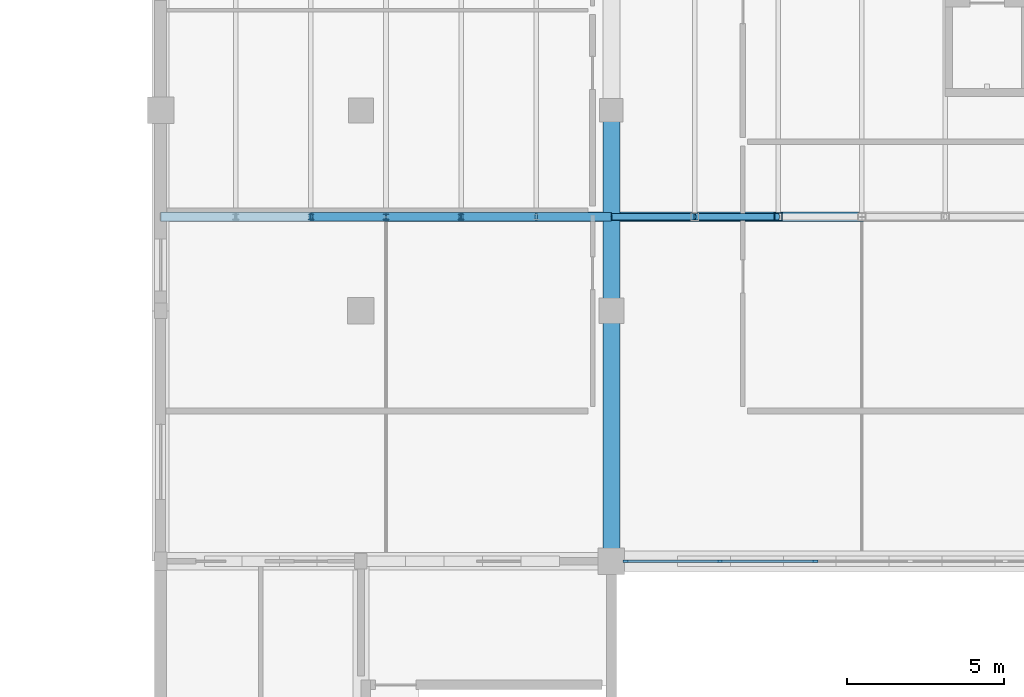
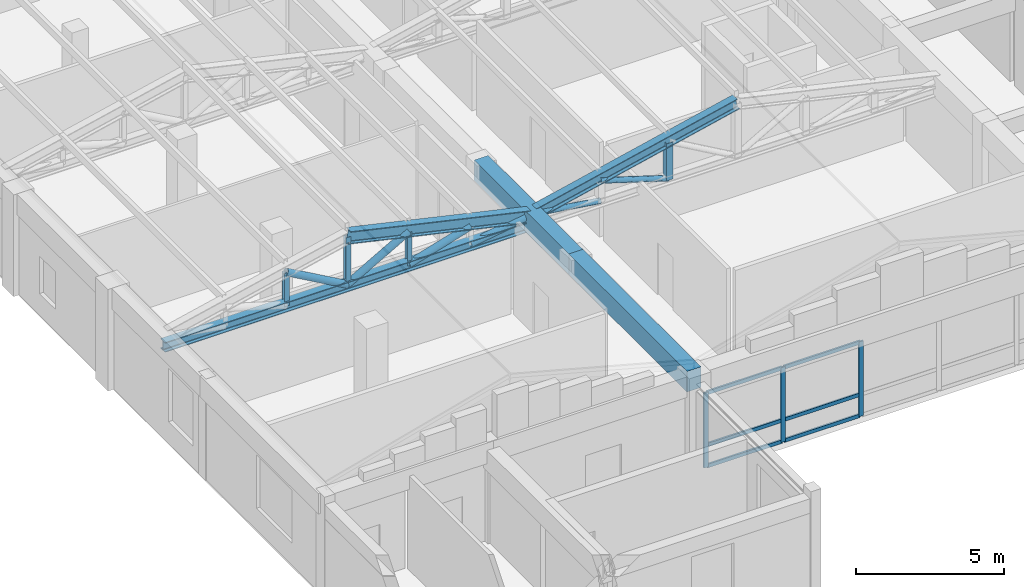
# One storey, part 2 of 35: 22 members, 2 beams, 1 element without a shape of its own.
"""IFC4 building model written with IfcOpenShell, lengths in metres."""

from ifc_helpers import new_model, si_unit, direction, frame, origin, origin_2d, place, context, subcontext, project, spatial, rectangle, hollow_rectangle, hollow_circle, i_section, extrude, material, material_profile, profile_set, type_object, element, aggregate, save


model = new_model("IFC4")

# Units and contexts
model_context = context("Model", 3, precision=1e-05, world=origin(), true_north=direction((0.0, 1.0)))
body_context = subcontext(model_context, "Body", "Model", "MODEL_VIEW")
ifc_project = project(units=[si_unit("LENGTHUNIT", "METRE"), si_unit("AREAUNIT", "SQUARE_METRE"), si_unit("VOLUMEUNIT", "CUBIC_METRE"), si_unit("PLANEANGLEUNIT", "RADIAN"), si_unit("MASSUNIT", "GRAM", prefix="KILO")], contexts=[model_context])

# Site, building, storey
site_placement = place(None, origin())
site = spatial("IfcSite", under=ifc_project, at=site_placement, CompositionType="ELEMENT")
building_placement = place(site_placement, origin())
building = spatial("IfcBuilding", under=site, at=building_placement, Name="Vellmiral Cinema and Media Centre", CompositionType="ELEMENT")
storey_placement = place(building_placement, frame((0.0, 0.0, 15.60009765625)))
storey = spatial("IfcBuildingStorey", under=building, at=storey_placement, Name="L03", CompositionType="ELEMENT", Elevation=15.60009765625)

# Curtain wall, members
ifc_material_1 = material(Name="Thermally Broken Aluminium and Triple Glazing", Category="aluminium")
curtain_wall_type = type_object("IfcCurtainWallType", Name="CW-POD-GALLERY", PredefinedType="USERDEFINED", material=ifc_material_1)
curtain_wall_placement = place(storey_placement, origin())
curtain_wall = element("IfcCurtainWall", 1, at=curtain_wall_placement, inside=storey, type_object=curtain_wall_type, Name="Curtain Wall L03-B004", ObjectType="STICK CURTAIN WALL", PredefinedType="USERDEFINED")
ifc_material_2 = material(Name="Thermally Broken Anodised Aluminium", Category="aluminium")
ifc_material_profile_1 = material_profile(ifc_material_2, rectangle(XDim=0.070068359375, YDim=0.179931640625, at=origin_2d()), Name="MULL 70x180")
ifc_profile_set_1 = profile_set([ifc_material_profile_1], Name="Thermally Broken Anodised Aluminium")
member_type_1 = type_object("IfcMemberType", Name="CWM-70x180", PredefinedType="MULLION", material=ifc_profile_set_1)
member_1_placement = place(storey_placement, frame((62.860107421875, 51.199951171875, 0.0), z_axis=(0.0, 0.0, 1.0), x_axis=(0.0, 1.0, 0.0)))
member_1 = element("IfcMember", 2, at=member_1_placement, type_object=member_type_1, Name="CW-04 mullion 1", PredefinedType="MULLION", context=body_context, shape_type="SweptSolid", body=[
    extrude(rectangle(XDim=0.070068359375, YDim=0.179931640625, at=origin_2d()), origin(), (0.0, 0.0, 1.0), 3.08984375),
])
member_2_placement = place(storey_placement, frame((65.864990234375, 51.199951171875, 0.0), z_axis=(0.0, 0.0, 1.0), x_axis=(0.0, 1.0, 0.0)))
member_2 = element("IfcMember", 3, at=member_2_placement, type_object=member_type_1, Name="CW-04 mullion 2", PredefinedType="MULLION", context=body_context, shape_type="SweptSolid", body=[
    extrude(rectangle(XDim=0.070068359375, YDim=0.179931640625, at=origin_2d()), origin(), (0.0, 0.0, 1.0), 3.08984375),
])
member_3_placement = place(storey_placement, frame((68.905029296875, 51.199951171875, 0.0), z_axis=(0.0, 0.0, 1.0), x_axis=(0.0, 1.0, 0.0)))
member_3 = element("IfcMember", 4, at=member_3_placement, type_object=member_type_1, Name="CW-04 mullion 3", PredefinedType="MULLION", context=body_context, shape_type="SweptSolid", body=[
    extrude(rectangle(XDim=0.070068359375, YDim=0.179931640625, at=origin_2d()), origin(), (0.0, 0.0, 1.0), 3.08984375),
])
ifc_material_3 = material(Name="Thermally Broken Anodised Aluminium", Category="aluminium")
ifc_material_profile_2 = material_profile(ifc_material_3, rectangle(XDim=0.070068359375, YDim=0.14990234375, at=origin_2d()), Name="MULL 70x150")
ifc_profile_set_2 = profile_set([ifc_material_profile_2], Name="Thermally Broken Anodised Aluminium")
member_type_2 = type_object("IfcMemberType", Name="CWT-70x150", PredefinedType="USERDEFINED", material=ifc_profile_set_2)
member_4_placement = place(storey_placement, frame((62.89501953125, 51.199951171875, 0.034912109375), z_axis=(1.0, 0.0, 0.0), x_axis=(0.0, 1.0, 0.0)))
member_4 = element("IfcMember", 5, at=member_4_placement, type_object=member_type_2, Name="CW-04 transom 1.1", ObjectType="TRANSOM", PredefinedType="USERDEFINED", context=body_context, shape_type="SweptSolid", body=[
    extrude(rectangle(XDim=0.070068359375, YDim=0.14990234375, at=origin_2d()), origin(), (0.0, 0.0, 1.0), 2.93505859375),
])
member_5_placement = place(storey_placement, frame((62.89501953125, 51.199951171875, 0.89990234375), z_axis=(1.0, 0.0, 0.0), x_axis=(0.0, 1.0, 0.0)))
member_5 = element("IfcMember", 6, at=member_5_placement, type_object=member_type_2, Name="CW-04 transom 1.2", ObjectType="TRANSOM", PredefinedType="USERDEFINED", context=body_context, shape_type="SweptSolid", body=[
    extrude(rectangle(XDim=0.070068359375, YDim=0.14990234375, at=origin_2d()), origin(), (0.0, 0.0, 1.0), 2.93505859375),
])
member_6_placement = place(storey_placement, frame((62.89501953125, 51.199951171875, 3.054931640625), z_axis=(1.0, 0.0, 0.0), x_axis=(0.0, 1.0, 0.0)))
member_6 = element("IfcMember", 7, at=member_6_placement, type_object=member_type_2, Name="CW-04 transom 1.3", ObjectType="TRANSOM", PredefinedType="USERDEFINED", context=body_context, shape_type="SweptSolid", body=[
    extrude(rectangle(XDim=0.070068359375, YDim=0.14990234375, at=origin_2d()), origin(), (0.0, 0.0, 1.0), 2.93505859375),
])
member_7_placement = place(storey_placement, frame((65.89990234375, 51.199951171875, 0.034912109375), z_axis=(1.0, 0.0, 0.0), x_axis=(0.0, 1.0, 0.0)))
member_7 = element("IfcMember", 8, at=member_7_placement, type_object=member_type_2, Name="CW-04 transom 2.1", ObjectType="TRANSOM", PredefinedType="USERDEFINED", context=body_context, shape_type="SweptSolid", body=[
    extrude(rectangle(XDim=0.070068359375, YDim=0.14990234375, at=origin_2d()), origin(), (0.0, 0.0, 1.0), 2.97021484375),
])
member_8_placement = place(storey_placement, frame((65.89990234375, 51.199951171875, 0.89990234375), z_axis=(1.0, 0.0, 0.0), x_axis=(0.0, 1.0, 0.0)))
member_8 = element("IfcMember", 9, at=member_8_placement, type_object=member_type_2, Name="CW-04 transom 2.2", ObjectType="TRANSOM", PredefinedType="USERDEFINED", context=body_context, shape_type="SweptSolid", body=[
    extrude(rectangle(XDim=0.070068359375, YDim=0.14990234375, at=origin_2d()), origin(), (0.0, 0.0, 1.0), 2.97021484375),
])
member_9_placement = place(storey_placement, frame((65.89990234375, 51.199951171875, 3.054931640625), z_axis=(1.0, 0.0, 0.0), x_axis=(0.0, 1.0, 0.0)))
member_9 = element("IfcMember", 10, at=member_9_placement, type_object=member_type_2, Name="CW-04 transom 2.3", ObjectType="TRANSOM", PredefinedType="USERDEFINED", context=body_context, shape_type="SweptSolid", body=[
    extrude(rectangle(XDim=0.070068359375, YDim=0.14990234375, at=origin_2d()), origin(), (0.0, 0.0, 1.0), 2.97021484375),
])
aggregate(curtain_wall, [member_1, member_2, member_3, member_4, member_5, member_6, member_7, member_8, member_9])

# Beams
ifc_material_4 = material(Name="Concrete C40/50", Category="concrete")
ifc_material_profile_3 = material_profile(ifc_material_4, rectangle(XDim=0.550048828125, YDim=0.85009765625, at=origin_2d()), Name="RC 550x850")
ifc_profile_set_3 = profile_set([ifc_material_profile_3], Name="Concrete C40/50")
beam_type = type_object("IfcBeamType", Name="RING-BM-550x850", PredefinedType="BEAM", material=ifc_profile_set_3)
beam_1_placement = place(storey_placement, frame((62.39990234375, 51.199951171875, 3.77490234375), z_axis=(0.0, 1.0, 0.0), x_axis=(-1.0, 0.0, 0.0)))
element("IfcBeam", 11, at=beam_1_placement, inside=storey, type_object=beam_type, Name="Central Media Library West Barrel Vault Ring Beam 11", PredefinedType="BEAM", context=body_context, shape_type="SweptSolid", body=[
    extrude(rectangle(XDim=0.550048828125, YDim=0.85009765625, at=origin_2d()), origin(), (0.0, 0.0, 1.0), 8.0),
])
beam_2_placement = place(storey_placement, frame((62.39990234375, 59.199951171875, 3.77490234375), z_axis=(0.0, 1.0, 0.0), x_axis=(-1.0, 0.0, 0.0)))
element("IfcBeam", 12, at=beam_2_placement, inside=storey, type_object=beam_type, Name="Central Media Library West Barrel Vault Ring Beam 12", PredefinedType="BEAM", context=body_context, shape_type="SweptSolid", body=[
    extrude(rectangle(XDim=0.550048828125, YDim=0.85009765625, at=origin_2d()), origin(), (0.0, 0.0, 1.0), 6.400146484375),
])

# Members
ifc_material_5 = material(Name="Steel S355", Category="steel")
ifc_material_profile_4 = material_profile(ifc_material_5, hollow_circle(Radius=0.109619140625, WallThickness=0.010009765625, at=origin_2d()), Name="CHS 219.1x10.0")
ifc_profile_set_4 = profile_set([ifc_material_profile_4], Name="Steel S355")
member_type_3 = type_object("IfcMemberType", Name="TBR-CHS219", PredefinedType="BRACE", material=ifc_profile_set_4)
member_10_placement = place(storey_placement, frame((62.39990234375, 62.199951171875, 3.94482421875), z_axis=(0.989206379584, 0.0, -0.146528968431), x_axis=(0.0, 1.0, 0.0)))
element("IfcMember", 13, at=member_10_placement, inside=storey, type_object=member_type_3, Name="Roof Truss TR-08B.1 Diagonal 1", PredefinedType="BRACE", context=body_context, shape_type="SweptSolid", body=[
    extrude(hollow_circle(Radius=0.109619140625, WallThickness=0.010009765625, at=origin_2d()), origin(), (0.0, 0.0, 1.0), 2.69580078125),
])
member_11_placement = place(storey_placement, frame((65.066650390625, 62.199951171875, 4.389404296875), z_axis=(0.953842302692, 0.0, -0.300307944608), x_axis=(0.0, 1.0, 0.0)))
element("IfcMember", 14, at=member_11_placement, inside=storey, type_object=member_type_3, Name="Roof Truss TR-08B.1 Diagonal 2", PredefinedType="BRACE", context=body_context, shape_type="SweptSolid", body=[
    extrude(hollow_circle(Radius=0.109619140625, WallThickness=0.010009765625, at=origin_2d()), origin(), (0.0, 0.0, 1.0), 2.7958984375),
])
ifc_material_6 = material(Name="Steel S355", Category="steel")
ifc_material_profile_5 = material_profile(ifc_material_6, hollow_circle(Radius=0.136474609375, WallThickness=0.012451171875, at=origin_2d()), Name="CHS 273.0x12.5")
ifc_profile_set_5 = profile_set([ifc_material_profile_5], Name="Steel S355")
member_type_4 = type_object("IfcMemberType", Name="TBR-CHS273", PredefinedType="BRACE", material=ifc_profile_set_5)
member_12_placement = place(storey_placement, frame((52.800048828125, 62.199951171875, 4.9111328125), z_axis=(0.869807030315, 0.0, -0.493392065212), x_axis=(0.0, 1.0, 0.0)))
element("IfcMember", 15, at=member_12_placement, inside=storey, type_object=member_type_4, Name="Roof Truss TR-08.1 Diagonal 3", PredefinedType="BRACE", context=body_context, shape_type="SweptSolid", body=[
    extrude(hollow_circle(Radius=0.136474609375, WallThickness=0.012451171875, at=origin_2d()), origin(), (0.0, 0.0, 1.0), 2.759033203125),
])
member_13_placement = place(storey_placement, frame((55.199951171875, 62.199951171875, 3.5498046875), z_axis=(0.869828568226, 0.0, 0.493354093829), x_axis=(0.0, 1.0, 0.0)))
element("IfcMember", 16, at=member_13_placement, inside=storey, type_object=member_type_4, Name="Roof Truss TR-08.1 Diagonal 4", PredefinedType="BRACE", context=body_context, shape_type="SweptSolid", body=[
    extrude(hollow_circle(Radius=0.136474609375, WallThickness=0.012451171875, at=origin_2d()), origin(), (0.0, 0.0, 1.0), 2.75927734375),
])
member_14_placement = place(storey_placement, frame((57.60009765625, 62.199951171875, 3.5498046875), z_axis=(0.958013844189, 0.0, 0.286721946043), x_axis=(0.0, 1.0, 0.0)))
element("IfcMember", 17, at=member_14_placement, inside=storey, type_object=member_type_4, Name="Roof Truss TR-08.1 Diagonal 5", PredefinedType="BRACE", context=body_context, shape_type="SweptSolid", body=[
    extrude(hollow_circle(Radius=0.136474609375, WallThickness=0.012451171875, at=origin_2d()), origin(), (0.0, 0.0, 1.0), 2.505126953125),
])
member_15_placement = place(storey_placement, frame((60.0, 62.199951171875, 3.5498046875), z_axis=(0.988315839708, 0.0, 0.152419818209), x_axis=(0.0, 1.0, 0.0)))
element("IfcMember", 18, at=member_15_placement, inside=storey, type_object=member_type_4, Name="Roof Truss TR-08.1 Diagonal 6", PredefinedType="BRACE", context=body_context, shape_type="SweptSolid", body=[
    extrude(hollow_circle(Radius=0.136474609375, WallThickness=0.012451171875, at=origin_2d()), origin(), (0.0, 0.0, 1.0), 2.42822265625),
])
ifc_material_7 = material(Name="Steel S355", Category="steel")
ifc_material_profile_6 = material_profile(ifc_material_7, i_section(OverallWidth=0.179931640625, OverallDepth=0.179931640625, WebThickness=0.008544921875, FlangeThickness=0.013916015625, FilletRadius=0.014892578125, at=origin_2d()), Name="HEB 180")
ifc_profile_set_6 = profile_set([ifc_material_profile_6], Name="Steel S355")
member_type_5 = type_object("IfcMemberType", Name="TBR-HEB180", PredefinedType="BRACE", material=ifc_profile_set_6)
member_16_placement = place(storey_placement, frame((52.800048828125, 62.199951171875, 3.5498046875), z_axis=(0.0, 0.0, 1.0), x_axis=(1.0, 0.0, 0.0)))
element("IfcMember", 19, at=member_16_placement, inside=storey, type_object=member_type_5, Name="Roof Truss TR-08.1 Post 2", PredefinedType="BRACE", context=body_context, shape_type="SweptSolid", body=[
    extrude(i_section(OverallWidth=0.179931640625, OverallDepth=0.179931640625, WebThickness=0.008544921875, FlangeThickness=0.013916015625, FilletRadius=0.014892578125, at=origin_2d()), origin(), (0.0, 0.0, 1.0), 1.361328125),
])
member_17_placement = place(storey_placement, frame((55.199951171875, 62.199951171875, 3.5498046875), z_axis=(0.0, 0.0, 1.0), x_axis=(1.0, 0.0, 0.0)))
element("IfcMember", 20, at=member_17_placement, inside=storey, type_object=member_type_5, Name="Roof Truss TR-08.1 Post 3", PredefinedType="BRACE", context=body_context, shape_type="SweptSolid", body=[
    extrude(i_section(OverallWidth=0.179931640625, OverallDepth=0.179931640625, WebThickness=0.008544921875, FlangeThickness=0.013916015625, FilletRadius=0.014892578125, at=origin_2d()), origin(), (0.0, 0.0, 1.0), 2.00439453125),
])
member_18_placement = place(storey_placement, frame((57.60009765625, 62.199951171875, 3.5498046875), z_axis=(0.0, 0.0, 1.0), x_axis=(1.0, 0.0, 0.0)))
element("IfcMember", 21, at=member_18_placement, inside=storey, type_object=member_type_5, Name="Roof Truss TR-08.1 Post 4", PredefinedType="BRACE", context=body_context, shape_type="SweptSolid", body=[
    extrude(i_section(OverallWidth=0.179931640625, OverallDepth=0.179931640625, WebThickness=0.008544921875, FlangeThickness=0.013916015625, FilletRadius=0.014892578125, at=origin_2d()), origin(), (0.0, 0.0, 1.0), 1.361328125),
])
ifc_material_8 = material(Name="Steel S355", Category="steel")
ifc_material_profile_7 = material_profile(ifc_material_8, hollow_rectangle(XDim=0.25, YDim=0.25, WallThickness=0.012451171875, at=origin_2d()), Name="SHS 250x250x12.5")
ifc_profile_set_7 = profile_set([ifc_material_profile_7], Name="Steel S355")
member_type_6 = type_object("IfcMemberType", Name="TBR-SHS250", PredefinedType="BRACE", material=ifc_profile_set_7)
member_19_placement = place(storey_placement, frame((67.7333984375, 62.199951171875, 3.5498046875), z_axis=(0.0, 0.0, 1.0), x_axis=(1.0, 0.0, 0.0)))
element("IfcMember", 22, at=member_19_placement, inside=storey, type_object=member_type_6, Name="Roof Truss TR-08B.1 Post 2", PredefinedType="BRACE", context=body_context, shape_type="SweptSolid", body=[
    extrude(hollow_rectangle(XDim=0.25, YDim=0.25, WallThickness=0.012451171875, at=origin_2d()), origin(), (0.0, 0.0, 1.0), 1.529296875),
])
ifc_material_9 = material(Name="Steel S355", Category="steel")
ifc_material_profile_8 = material_profile(ifc_material_9, i_section(OverallWidth=0.300048828125, OverallDepth=0.39990234375, WebThickness=0.013427734375, FlangeThickness=0.02392578125, FilletRadius=0.027099609375, at=origin_2d()), Name="HEB 400")
ifc_profile_set_8 = profile_set([ifc_material_profile_8], Name="Steel S355")
member_type_7 = type_object("IfcMemberType", Name="TCH-HEB400", PredefinedType="CHORD", material=ifc_profile_set_8)
member_20_placement = place(storey_placement, frame((48.0, 62.199951171875, 3.5498046875), z_axis=(1.0, 0.0, 0.0), x_axis=(0.0, 1.0, 0.0)))
element("IfcMember", 23, at=member_20_placement, inside=storey, type_object=member_type_7, Name="Roof Truss TR-08.1 Bottom Chord", PredefinedType="CHORD", context=body_context, shape_type="SweptSolid", body=[
    extrude(i_section(OverallWidth=0.300048828125, OverallDepth=0.39990234375, WebThickness=0.013427734375, FlangeThickness=0.02392578125, FilletRadius=0.027099609375, at=origin_2d()), origin(), (0.0, 0.0, 1.0), 14.39990234375),
])
ifc_material_10 = material(Name="Steel S355", Category="steel")
ifc_material_profile_9 = material_profile(ifc_material_10, i_section(OverallWidth=0.300048828125, OverallDepth=0.449951171875, WebThickness=0.013916015625, FlangeThickness=0.02587890625, FilletRadius=0.027099609375, at=origin_2d()), Name="HEB 450")
ifc_profile_set_9 = profile_set([ifc_material_profile_9], Name="Steel S355")
member_type_8 = type_object("IfcMemberType", Name="TCH-HEB450", PredefinedType="CHORD", material=ifc_profile_set_9)
member_21_placement = place(storey_placement, frame((62.39990234375, 62.199951171875, 3.94482421875), z_axis=(0.974980054938, 0.0, 0.222292358107), x_axis=(0.0, 1.0, 0.0)))
element("IfcMember", 24, at=member_21_placement, inside=storey, type_object=member_type_8, Name="Roof Truss TR-08B.1 Top Chord W", PredefinedType="CHORD", context=body_context, shape_type="SweptSolid", body=[
    extrude(i_section(OverallWidth=0.300048828125, OverallDepth=0.449951171875, WebThickness=0.013916015625, FlangeThickness=0.02587890625, FilletRadius=0.027099609375, at=origin_2d()), origin(), (0.0, 0.0, 1.0), 8.205322265625),
])
ifc_material_11 = material(Name="Steel S355", Category="steel")
ifc_material_profile_10 = material_profile(ifc_material_11, i_section(OverallWidth=0.300048828125, OverallDepth=0.5, WebThickness=0.014404296875, FlangeThickness=0.028076171875, FilletRadius=0.027099609375, at=origin_2d()), Name="HEB 500")
ifc_profile_set_10 = profile_set([ifc_material_profile_10], Name="Steel S355")
member_type_9 = type_object("IfcMemberType", Name="TCH-HEB500", PredefinedType="CHORD", material=ifc_profile_set_10)
member_22_placement = place(storey_placement, frame((55.199951171875, 62.199951171875, 5.55419921875), z_axis=(0.975193562013, 0.0, -0.221353826731), x_axis=(0.0, 1.0, 0.0)))
element("IfcMember", 25, at=member_22_placement, inside=storey, type_object=member_type_9, Name="Roof Truss TR-08.1 Top Chord E", PredefinedType="CHORD", context=body_context, shape_type="SweptSolid", body=[
    extrude(i_section(OverallWidth=0.300048828125, OverallDepth=0.5, WebThickness=0.014404296875, FlangeThickness=0.028076171875, FilletRadius=0.027099609375, at=origin_2d()), origin(), (0.0, 0.0, 1.0), 7.383056640625),
])

save(model, "model.ifc")
